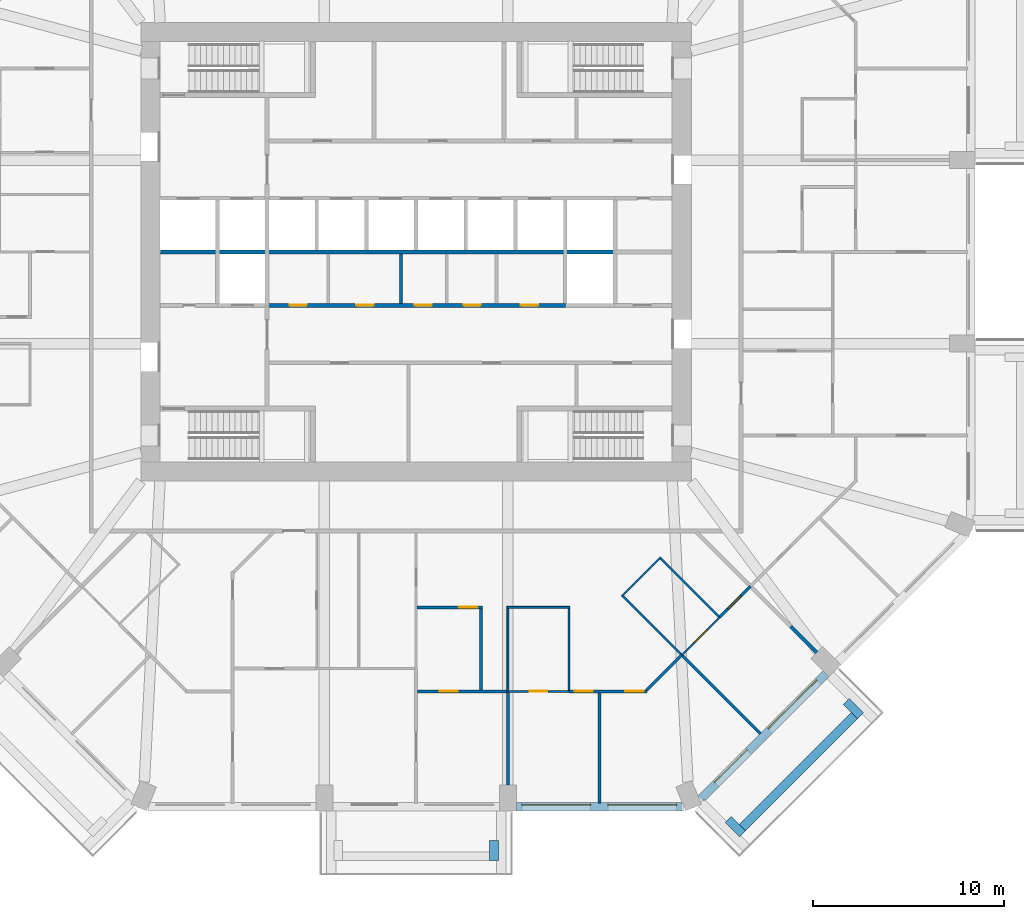
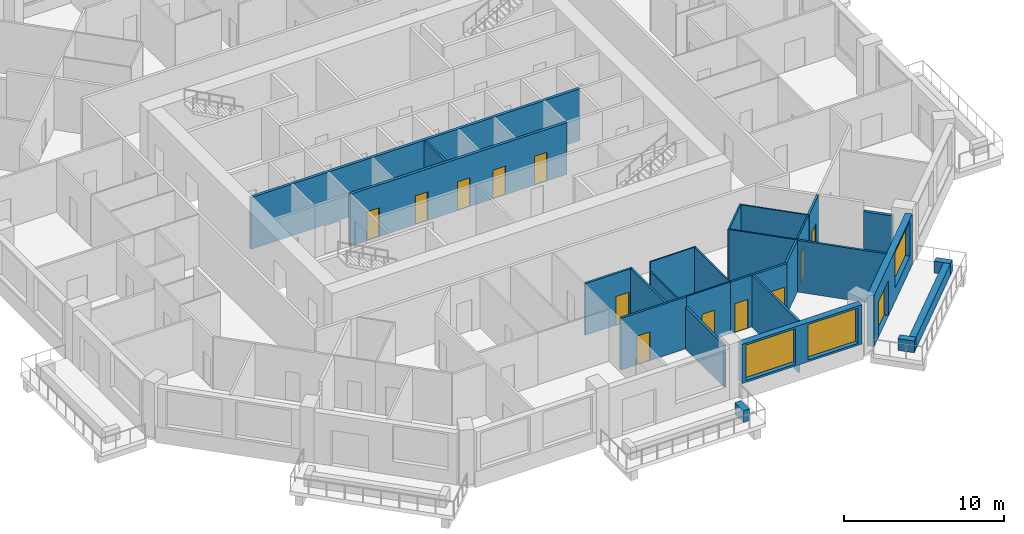
# One storey, part 5 of 13: 27 walls, 13 doors, 3 windows, 16 openings.
"""IFC4 building model written with IfcOpenShell, lengths in metres."""

from ifc_helpers import new_model, si_unit, direction, frame, frame_2d, origin, place, context, subcontext, project, spatial, rectangle, extrude, material, layer, layer_set, type_object, element, fill, save


model = new_model("IFC4")

# Units and contexts
model_context = context("Model", 3, precision=1e-05, world=origin(), true_north=direction((0.0, 1.0)))
body_context = subcontext(model_context, "Body", "Model", "MODEL_VIEW")
ifc_project = project(units=[si_unit("LENGTHUNIT", "METRE"), si_unit("AREAUNIT", "SQUARE_METRE"), si_unit("VOLUMEUNIT", "CUBIC_METRE"), si_unit("PLANEANGLEUNIT", "RADIAN"), si_unit("MASSUNIT", "GRAM", prefix="KILO")], contexts=[model_context])

# Site, building, storey
site_placement = place(None, origin())
site = spatial("IfcSite", under=ifc_project, at=site_placement, CompositionType="ELEMENT")
building_placement = place(site_placement, origin())
building = spatial("IfcBuilding", under=site, at=building_placement, Name="Msitu Wima Residences", CompositionType="ELEMENT")
storey_placement = place(building_placement, frame((0.0, 0.0, 33.89990234375)))
storey = spatial("IfcBuildingStorey", under=building, at=storey_placement, Name="L07", CompositionType="ELEMENT", Elevation=33.89990234375)

# Walls
ifc_material_1 = material(Name="Facing brick")
ifc_layer_1 = layer(ifc_material_1, 0.06494140625, Name="Facing brick")
ifc_material_2 = material(Name="Concrete C40/50", Category="concrete")
ifc_layer_2 = layer(ifc_material_2, 0.156005859375, Name="Concrete C40/50")
ifc_material_3 = material(Name="Waterproofing membrane")
ifc_layer_3 = layer(ifc_material_3, 0.00390625, Name="Waterproofing membrane")
ifc_material_4 = material(Name="Planting soil and planting")
ifc_layer_4 = layer(ifc_material_4, 0.22509765625, Name="Planting soil and planting")
ifc_layer_set_1 = layer_set([ifc_layer_1, ifc_layer_2, ifc_layer_3, ifc_layer_4], Name="Concrete C40/50")
wall_type_1 = type_object("IfcWallType", Name="Balcony planter PLANTER PL450", PredefinedType="USERDEFINED", material=ifc_layer_set_1)
wall_1_placement = place(storey_placement, frame((4.074951171875, -30.800048828125, 0.0), z_axis=(0.0, 0.0, 1.0), x_axis=(0.0, -1.0, 0.0)))
element("IfcWall", 1, at=wall_1_placement, inside=storey, type_object=wall_type_1, Name="Balcony planter S1 L07", ObjectType="PLANTER", PredefinedType="USERDEFINED", context=body_context, shape_type="SweptSolid", body=[
    extrude(rectangle(XDim=1.050048828125, YDim=0.449951171875, at=frame_2d((0.52490234375, 0.0))), origin(), (0.0, 0.0, 1.0), 0.900146484375),
])
wall_2_placement = place(storey_placement, frame((17.0693359375, -30.125732421875, 0.0), z_axis=(0.0, 0.0, 1.0), x_axis=(0.707106781187, 0.707106781187, 0.0)))
element("IfcWall", 2, at=wall_2_placement, inside=storey, type_object=wall_type_1, Name="Balcony planter SE0 L07", ObjectType="PLANTER", PredefinedType="USERDEFINED", context=body_context, shape_type="SweptSolid", body=[
    extrude(rectangle(XDim=8.2822265625, YDim=0.449951171875, at=frame_2d((4.14111328125, 0.0))), origin(), (0.0, 0.0, 1.0), 0.900146484375),
])
for number, where, z_axis, x_axis, name in (
    (3, (16.326904296875, -29.70166015625, 0.0), (0.0, 0.0, 1.0), (0.707106781187, -0.707106781187, 0.0), "Balcony planter SE0 L07"),
    (4, (22.50146484375, -23.52685546875, 0.0), (0.0, 0.0, 1.0), (0.707223014731, -0.706990528533, 0.0), "Balcony planter SE0 L07"),
):
    element("IfcWall", number, at=place(storey_placement, frame(where, z_axis=z_axis, x_axis=x_axis)), inside=storey, type_object=wall_type_1, Name=name, ObjectType="PLANTER", PredefinedType="USERDEFINED", context=body_context, shape_type="SweptSolid", body=[
        extrude(rectangle(XDim=1.050048828125, YDim=0.449951171875, at=frame_2d((0.52490234375, 0.0))), origin(), (0.0, 0.0, 1.0), 0.900146484375),
    ])

# Wall, openings, windows
ifc_material_5 = material(Name="Brick (red buff mix)", Category="masonry")
ifc_layer_5 = layer(ifc_material_5, 0.449951171875)
ifc_layer_set_2 = layer_set([ifc_layer_5], Name="Brick (red buff mix)")
wall_type_2 = type_object("IfcWallType", Name="Brick infill wall BW450", PredefinedType="SOLIDWALL", material=ifc_layer_set_2)
wall_3_placement = place(storey_placement, frame((5.25, -29.02490234375, 0.900146484375), z_axis=(0.0, 0.0, 1.0), x_axis=(1.0, 0.0, 0.0)))
wall_3 = element("IfcWall", 5, at=wall_3_placement, inside=storey, type_object=wall_type_2, Name="Brick infill wall L07 S2", PredefinedType="SOLIDWALL", context=body_context, shape_type="SweptSolid", body=[
    extrude(rectangle(XDim=8.662841796875, YDim=0.449951171875, at=frame_2d((4.33154296875, 0.0))), origin(), (0.0, 0.0, 1.0), 3.0),
])
opening_1_placement = place(wall_3_placement, frame((0.281494140625, 0.0, 0.14990234375)))
opening_1 = element("IfcOpeningElement", 6, at=opening_1_placement, cuts=wall_3, Name="Opening W05-07.019", PredefinedType="OPENING", context=body_context, shape_type="SweptSolid", body=[
    extrude(rectangle(XDim=3.60009765625, YDim=2.699951171875, at=frame_2d((1.800048828125, 1.35009765625))), frame((0.0, 0.23486328125, 0.0), z_axis=(0.0, -1.0, 0.0), x_axis=(1.0, 0.0, 0.0)), (0.0, 0.0, 1.0), 0.469970703125),
])
opening_2_placement = place(wall_3_placement, frame((4.781494140625, 0.0, 0.14990234375)))
opening_2 = element("IfcOpeningElement", 7, at=opening_2_placement, cuts=wall_3, Name="Opening W05-07.020", PredefinedType="OPENING", context=body_context, shape_type="SweptSolid", body=[
    extrude(rectangle(XDim=3.60009765625, YDim=2.699951171875, at=frame_2d((1.800048828125, 1.35009765625))), frame((0.0, 0.23486328125, 0.0), z_axis=(0.0, -1.0, 0.0), x_axis=(1.0, 0.0, 0.0)), (0.0, 0.0, 1.0), 0.469970703125),
])
ifc_material_6 = material(Name="Anodised aluminium, bronze finish, clear low-emissivity double glazing", Category="aluminium")
window_type = type_object("IfcWindowType", Name="Window W3600x2700", PartitioningType="DOUBLE_PANEL_VERTICAL", PredefinedType="WINDOW", material=ifc_material_6)
window_1_placement = place(opening_1_placement, origin())
window_1 = element("IfcWindow", 8, at=window_1_placement, inside=storey, type_object=window_type, Name="Window L07 S2.1", OverallHeight=2.699951171875, OverallWidth=3.60009765625, PartitioningType="SINGLE_PANEL", PredefinedType="WINDOW", context=body_context, shape_type="SweptSolid", body=[
    extrude(rectangle(XDim=3.60009765625, YDim=2.699951171875, at=frame_2d((1.800048828125, 1.35009765625))), frame((0.0, 0.135009765625, 0.0), z_axis=(0.0, -1.0, 0.0), x_axis=(1.0, 0.0, 0.0)), (0.0, 0.0, 1.0), 0.06005859375),
])
fill(opening_1, window_1)
window_2_placement = place(opening_2_placement, origin())
window_2 = element("IfcWindow", 9, at=window_2_placement, inside=storey, type_object=window_type, Name="Window L07 S2.2", OverallHeight=2.699951171875, OverallWidth=3.60009765625, PartitioningType="SINGLE_PANEL", PredefinedType="WINDOW", context=body_context, shape_type="SweptSolid", body=[
    extrude(rectangle(XDim=3.60009765625, YDim=2.699951171875, at=frame_2d((1.800048828125, 1.35009765625))), frame((0.0, 0.135009765625, 0.0), z_axis=(0.0, -1.0, 0.0), x_axis=(1.0, 0.0, 0.0)), (0.0, 0.0, 1.0), 0.06005859375),
])
fill(opening_2, window_2)

# Wall, openings, door, window
wall_4_placement = place(storey_placement, frame((14.903564453125, -28.61474609375, 0.0), z_axis=(0.0, 0.0, 1.0), x_axis=(0.707106781187, 0.707106781187, 0.0)))
wall_4 = element("IfcWall", 10, at=wall_4_placement, inside=storey, type_object=wall_type_2, Name="Brick infill wall L07 SE0", PredefinedType="SOLIDWALL", context=body_context, shape_type="SweptSolid", body=[
    extrude(rectangle(XDim=9.2451171875, YDim=0.449951171875, at=frame_2d((4.62255859375, 0.0))), origin(), (0.0, 0.0, 1.0), 3.900146484375),
])
opening_3_placement = place(wall_4_placement, frame((1.111328125, 0.0, 0.0)))
opening_3 = element("IfcOpeningElement", 11, at=opening_3_placement, cuts=wall_4, Name="Opening D05-07.007", PredefinedType="OPENING", context=body_context, shape_type="SweptSolid", body=[
    extrude(rectangle(XDim=2.39990234375, YDim=2.699951171875, at=frame_2d((1.199951171875, 1.35009765625))), frame((0.0, 0.23486328125, 0.0), z_axis=(0.0, -1.0, 0.0), x_axis=(1.0, 0.0, 0.0)), (0.0, 0.0, 1.0), 0.469970703125),
])
opening_4_placement = place(wall_4_placement, frame((5.072509765625, 0.0, 1.050048828125)))
opening_4 = element("IfcOpeningElement", 12, at=opening_4_placement, cuts=wall_4, Name="Opening W05-07.021", PredefinedType="OPENING", context=body_context, shape_type="SweptSolid", body=[
    extrude(rectangle(XDim=3.60009765625, YDim=2.699951171875, at=frame_2d((1.800048828125, 1.35009765625))), frame((0.0, 0.23486328125, 0.0), z_axis=(0.0, -1.0, 0.0), x_axis=(1.0, 0.0, 0.0)), (0.0, 0.0, 1.0), 0.469970703125),
])
door_type_1 = type_object("IfcDoorType", Name="Balcony door D2400x2700", OperationType="SLIDING_TO_LEFT", PredefinedType="DOOR", material=ifc_material_6)
door_1_placement = place(opening_3_placement, origin())
door_1 = element("IfcDoor", 13, at=door_1_placement, inside=storey, type_object=door_type_1, Name="Balcony door L07 SE0", OperationType="SINGLE_SWING_LEFT", OverallHeight=2.699951171875, OverallWidth=2.39990234375, PredefinedType="DOOR", context=body_context, shape_type="SweptSolid", body=[
    extrude(rectangle(XDim=2.39990234375, YDim=2.699951171875, at=frame_2d((1.199951171875, 1.35009765625))), frame((0.0, 0.1298828125, 0.0), z_axis=(0.0, -1.0, 0.0), x_axis=(1.0, 0.0, 0.0)), (0.0, 0.0, 1.0), 0.050048828125),
])
fill(opening_3, door_1)
window_3_placement = place(opening_4_placement, origin())
window_3 = element("IfcWindow", 14, at=window_3_placement, inside=storey, type_object=window_type, Name="Window L07 SE0.2", OverallHeight=2.699951171875, OverallWidth=3.60009765625, PartitioningType="SINGLE_PANEL", PredefinedType="WINDOW", context=body_context, shape_type="SweptSolid", body=[
    extrude(rectangle(XDim=3.60009765625, YDim=2.699951171875, at=frame_2d((1.800048828125, 1.35009765625))), frame((0.0, 0.135009765625, 0.0), z_axis=(0.0, -1.0, 0.0), x_axis=(1.0, 0.0, 0.0)), (0.0, 0.0, 1.0), 0.06005859375),
])
fill(opening_4, window_3)

# Wall, openings, doors
ifc_material_7 = material(Name="Plaster")
ifc_layer_6 = layer(ifc_material_7, 0.011962890625, Name="Plaster")
ifc_material_8 = material(Name="Concrete blockwork", Category="masonry")
ifc_layer_7 = layer(ifc_material_8, 0.176025390625, Name="Concrete blockwork")
ifc_layer_8 = layer(ifc_material_7, 0.011962890625, Name="Plaster")
ifc_layer_set_3 = layer_set([ifc_layer_6, ifc_layer_7, ifc_layer_8], Name="Concrete blockwork")
wall_type_3 = type_object("IfcWallType", Name="Corridor wall FW200", PredefinedType="PARTITIONING", material=ifc_layer_set_3)
wall_5_placement = place(storey_placement, frame((-7.820068359375, -2.800048828125, 0.0), z_axis=(0.0, 0.0, 1.0), x_axis=(1.0, 0.0, 0.0)))
wall_5 = element("IfcWall", 15, at=wall_5_placement, inside=storey, type_object=wall_type_3, Name="Corridor wall", PredefinedType="PARTITIONING", context=body_context, shape_type="SweptSolid", body=[
    extrude(rectangle(XDim=15.64013671875, YDim=0.199951171875, at=frame_2d((7.820068359375, 0.0))), origin(), (0.0, 0.0, 1.0), 3.9501953125),
])
opening_5_placement = place(wall_5_placement, frame((1.199951171875, 0.0, 0.0)))
opening_5 = element("IfcOpeningElement", 16, at=opening_5_placement, cuts=wall_5, Name="Opening D05-07.031", PredefinedType="OPENING", context=body_context, shape_type="SweptSolid", body=[
    extrude(rectangle(XDim=0.89990234375, YDim=2.199951171875, at=frame_2d((0.449951171875, 1.10009765625))), frame((0.0, 0.10986328125, 0.0), z_axis=(0.0, -1.0, 0.0), x_axis=(1.0, 0.0, 0.0)), (0.0, 0.0, 1.0), 0.219970703125),
])
opening_6_placement = place(wall_5_placement, frame((4.699951171875, 0.0, 0.0)))
opening_6 = element("IfcOpeningElement", 17, at=opening_6_placement, cuts=wall_5, Name="Opening D05-07.032", PredefinedType="OPENING", context=body_context, shape_type="SweptSolid", body=[
    extrude(rectangle(XDim=0.89990234375, YDim=2.199951171875, at=frame_2d((0.449951171875, 1.10009765625))), frame((0.0, 0.10986328125, 0.0), z_axis=(0.0, -1.0, 0.0), x_axis=(1.0, 0.0, 0.0)), (0.0, 0.0, 1.0), 0.219970703125),
])
opening_7_placement = place(wall_5_placement, frame((7.75, 0.0, 0.0)))
opening_7 = element("IfcOpeningElement", 18, at=opening_7_placement, cuts=wall_5, Name="Opening D05-07.033", PredefinedType="OPENING", context=body_context, shape_type="SweptSolid", body=[
    extrude(rectangle(XDim=0.89990234375, YDim=2.199951171875, at=frame_2d((0.449951171875, 1.10009765625))), frame((0.0, 0.10986328125, 0.0), z_axis=(0.0, -1.0, 0.0), x_axis=(1.0, 0.0, 0.0)), (0.0, 0.0, 1.0), 0.219970703125),
])
opening_8_placement = place(wall_5_placement, frame((10.300048828125, 0.0, 0.0)))
opening_8 = element("IfcOpeningElement", 19, at=opening_8_placement, cuts=wall_5, Name="Opening D05-07.034", PredefinedType="OPENING", context=body_context, shape_type="SweptSolid", body=[
    extrude(rectangle(XDim=0.89990234375, YDim=2.199951171875, at=frame_2d((0.449951171875, 1.10009765625))), frame((0.0, 0.10986328125, 0.0), z_axis=(0.0, -1.0, 0.0), x_axis=(1.0, 0.0, 0.0)), (0.0, 0.0, 1.0), 0.219970703125),
])
opening_9_placement = place(wall_5_placement, frame((13.300048828125, 0.0, 0.0)))
opening_9 = element("IfcOpeningElement", 20, at=opening_9_placement, cuts=wall_5, Name="Opening D05-07.035", PredefinedType="OPENING", context=body_context, shape_type="SweptSolid", body=[
    extrude(rectangle(XDim=0.89990234375, YDim=2.199951171875, at=frame_2d((0.449951171875, 1.10009765625))), frame((0.0, 0.10986328125, 0.0), z_axis=(0.0, -1.0, 0.0), x_axis=(1.0, 0.0, 0.0)), (0.0, 0.0, 1.0), 0.219970703125),
])
ifc_material_9 = material(Name="Timber flush door", Category="wood")
door_type_2 = type_object("IfcDoorType", Name="Service door D05 900x2200", OperationType="SINGLE_SWING_LEFT", PredefinedType="DOOR", material=ifc_material_9)
door_2_placement = place(opening_5_placement, origin())
door_2 = element("IfcDoor", 21, at=door_2_placement, inside=storey, type_object=door_type_2, Name="Service door", OperationType="SINGLE_SWING_RIGHT", OverallHeight=2.199951171875, OverallWidth=0.89990234375, PredefinedType="DOOR", context=body_context, shape_type="SweptSolid", body=[
    extrude(rectangle(XDim=0.89990234375, YDim=2.199951171875, at=frame_2d((0.449951171875, 1.10009765625))), frame((0.0, 0.02490234375, 0.0), z_axis=(0.0, -1.0, 0.0), x_axis=(1.0, 0.0, 0.0)), (0.0, 0.0, 1.0), 0.050048828125),
])
fill(opening_5, door_2)
door_3_placement = place(opening_6_placement, origin())
door_3 = element("IfcDoor", 22, at=door_3_placement, inside=storey, type_object=door_type_2, Name="Service door", OperationType="SINGLE_SWING_RIGHT", OverallHeight=2.199951171875, OverallWidth=0.89990234375, PredefinedType="DOOR", context=body_context, shape_type="SweptSolid", body=[
    extrude(rectangle(XDim=0.89990234375, YDim=2.199951171875, at=frame_2d((0.449951171875, 1.10009765625))), frame((0.0, 0.02490234375, 0.0), z_axis=(0.0, -1.0, 0.0), x_axis=(1.0, 0.0, 0.0)), (0.0, 0.0, 1.0), 0.050048828125),
])
fill(opening_6, door_3)
door_4_placement = place(opening_7_placement, origin())
door_4 = element("IfcDoor", 23, at=door_4_placement, inside=storey, type_object=door_type_2, Name="Service door", OperationType="SINGLE_SWING_LEFT", OverallHeight=2.199951171875, OverallWidth=0.89990234375, PredefinedType="DOOR", context=body_context, shape_type="SweptSolid", body=[
    extrude(rectangle(XDim=0.89990234375, YDim=2.199951171875, at=frame_2d((0.449951171875, 1.10009765625))), frame((0.0, 0.02490234375, 0.0), z_axis=(0.0, -1.0, 0.0), x_axis=(1.0, 0.0, 0.0)), (0.0, 0.0, 1.0), 0.050048828125),
])
fill(opening_7, door_4)
door_5_placement = place(opening_8_placement, origin())
door_5 = element("IfcDoor", 24, at=door_5_placement, inside=storey, type_object=door_type_2, Name="Service door", OperationType="SINGLE_SWING_RIGHT", OverallHeight=2.199951171875, OverallWidth=0.89990234375, PredefinedType="DOOR", context=body_context, shape_type="SweptSolid", body=[
    extrude(rectangle(XDim=0.89990234375, YDim=2.199951171875, at=frame_2d((0.449951171875, 1.10009765625))), frame((0.0, 0.02490234375, 0.0), z_axis=(0.0, -1.0, 0.0), x_axis=(1.0, 0.0, 0.0)), (0.0, 0.0, 1.0), 0.050048828125),
])
fill(opening_8, door_5)
door_6_placement = place(opening_9_placement, origin())
door_6 = element("IfcDoor", 25, at=door_6_placement, inside=storey, type_object=door_type_2, Name="Service door", OperationType="SINGLE_SWING_LEFT", OverallHeight=2.199951171875, OverallWidth=0.89990234375, PredefinedType="DOOR", context=body_context, shape_type="SweptSolid", body=[
    extrude(rectangle(XDim=0.89990234375, YDim=2.199951171875, at=frame_2d((0.449951171875, 1.10009765625))), frame((0.0, 0.02490234375, 0.0), z_axis=(0.0, -1.0, 0.0), x_axis=(1.0, 0.0, 0.0)), (0.0, 0.0, 1.0), 0.050048828125),
])
fill(opening_9, door_6)

# Wall
ifc_layer_9 = layer(ifc_material_7, 0.011962890625, Name="Plaster")
ifc_layer_10 = layer(ifc_material_8, 0.1259765625, Name="Concrete blockwork")
ifc_layer_11 = layer(ifc_material_7, 0.011962890625, Name="Plaster")
ifc_layer_set_4 = layer_set([ifc_layer_9, ifc_layer_10, ifc_layer_11], Name="Concrete blockwork")
wall_type_4 = type_object("IfcWallType", Name="Partition PW150", PredefinedType="PARTITIONING", material=ifc_layer_set_4)
wall_6_placement = place(storey_placement, frame((-0.800048828125, -2.699951171875, 0.0), z_axis=(0.0, 0.0, 1.0), x_axis=(0.0, 1.0, 0.0)))
element("IfcWall", 26, at=wall_6_placement, inside=storey, type_object=wall_type_4, Name="Partition", PredefinedType="PARTITIONING", context=body_context, shape_type="SweptSolid", body=[
    extrude(rectangle(XDim=2.599853515625, YDim=0.14990234375, at=frame_2d((1.2998046875, 0.0))), origin(), (0.0, 0.0, 1.0), 3.9501953125),
])

# Wall, opening, door
wall_7_placement = place(storey_placement, frame((0.074951171875, -23.0, 0.0), z_axis=(0.0, 0.0, 1.0), x_axis=(1.0, 0.0, 0.0)))
wall_7 = element("IfcWall", 27, at=wall_7_placement, inside=storey, type_object=wall_type_4, Name="Partition", PredefinedType="PARTITIONING", context=body_context, shape_type="SweptSolid", body=[
    extrude(rectangle(XDim=4.72509765625, YDim=0.14990234375, at=frame_2d((2.362548828125, 0.0))), origin(), (0.0, 0.0, 1.0), 3.9501953125),
])
opening_10_placement = place(wall_7_placement, frame((1.14990234375, 0.0, 0.0)))
opening_10 = element("IfcOpeningElement", 28, at=opening_10_placement, cuts=wall_7, Name="Opening D05-07.084", PredefinedType="OPENING", context=body_context, shape_type="SweptSolid", body=[
    extrude(rectangle(XDim=0.949951171875, YDim=2.199951171875, at=frame_2d((0.47509765625, 1.10009765625))), frame((0.0, 0.0849609375, 0.0), z_axis=(0.0, -1.0, 0.0), x_axis=(1.0, 0.0, 0.0)), (0.0, 0.0, 1.0), 0.169921875),
])
door_type_3 = type_object("IfcDoorType", Name="Room door D12 950x2200", OperationType="SINGLE_SWING_LEFT", PredefinedType="DOOR", material=ifc_material_9)
door_7_placement = place(opening_10_placement, origin())
door_7 = element("IfcDoor", 29, at=door_7_placement, inside=storey, type_object=door_type_3, Name="Room door", OperationType="SINGLE_SWING_RIGHT", OverallHeight=2.199951171875, OverallWidth=0.949951171875, PredefinedType="DOOR", context=body_context, shape_type="SweptSolid", body=[
    extrude(rectangle(XDim=0.949951171875, YDim=2.199951171875, at=frame_2d((0.47509765625, 1.10009765625))), frame((0.0, 0.02490234375, 0.0), z_axis=(0.0, -1.0, 0.0), x_axis=(1.0, 0.0, 0.0)), (0.0, 0.0, 1.0), 0.050048828125),
])
fill(opening_10, door_7)

wall_8_placement = place(storey_placement, frame((0.050048828125, -18.60009765625, 0.0), z_axis=(0.0, 0.0, 1.0), x_axis=(1.0, 0.0, 0.0)))
wall_8 = element("IfcWall", 30, at=wall_8_placement, inside=storey, type_object=wall_type_4, Name="Partition", PredefinedType="PARTITIONING", context=body_context, shape_type="SweptSolid", body=[
    extrude(rectangle(XDim=3.425048828125, YDim=0.14990234375, at=frame_2d((1.71240234375, 0.0))), origin(), (0.0, 0.0, 1.0), 3.9501953125),
])
opening_11_placement = place(wall_8_placement, frame((2.199951171875, 0.0, 0.0)))
opening_11 = element("IfcOpeningElement", 31, at=opening_11_placement, cuts=wall_8, Name="Opening D05-07.087", PredefinedType="OPENING", context=body_context, shape_type="SweptSolid", body=[
    extrude(rectangle(XDim=0.949951171875, YDim=2.199951171875, at=frame_2d((0.47509765625, 1.10009765625))), frame((0.0, 0.0849609375, 0.0), z_axis=(0.0, -1.0, 0.0), x_axis=(1.0, 0.0, 0.0)), (0.0, 0.0, 1.0), 0.169921875),
])
door_8_placement = place(opening_11_placement, origin())
door_8 = element("IfcDoor", 32, at=door_8_placement, inside=storey, type_object=door_type_3, Name="Room door", OperationType="SINGLE_SWING_LEFT", OverallHeight=2.199951171875, OverallWidth=0.949951171875, PredefinedType="DOOR", context=body_context, shape_type="SweptSolid", body=[
    extrude(rectangle(XDim=0.949951171875, YDim=2.199951171875, at=frame_2d((0.47509765625, 1.10009765625))), frame((0.0, 0.02490234375, 0.0), z_axis=(0.0, -1.0, 0.0), x_axis=(1.0, 0.0, 0.0)), (0.0, 0.0, 1.0), 0.050048828125),
])
fill(opening_11, door_8)

# Walls
wall_9_placement = place(storey_placement, frame((3.39990234375, -22.925048828125, 0.0), z_axis=(0.0, 0.0, 1.0), x_axis=(0.0, 1.0, 0.0)))
element("IfcWall", 33, at=wall_9_placement, inside=storey, type_object=wall_type_4, Name="Partition", PredefinedType="PARTITIONING", context=body_context, shape_type="SweptSolid", body=[
    extrude(rectangle(XDim=4.25, YDim=0.14990234375, at=frame_2d((2.125, 0.0))), origin(), (0.0, 0.0, 1.0), 3.9501953125),
])
wall_10_placement = place(storey_placement, frame((4.800048828125, -27.89990234375, 0.0), z_axis=(0.0, 0.0, 1.0), x_axis=(0.0, 1.0, 0.0)))
element("IfcWall", 34, at=wall_10_placement, inside=storey, type_object=wall_type_4, Name="Partition", PredefinedType="PARTITIONING", context=body_context, shape_type="SweptSolid", body=[
    extrude(rectangle(XDim=4.919921875, YDim=0.14990234375, at=frame_2d((2.4599609375, 0.0))), origin(), (0.0, 0.0, 1.0), 3.2001953125),
])

# Wall, openings, doors
wall_11_placement = place(storey_placement, frame((8.0, -23.0, 0.0), z_axis=(0.0, 0.0, 1.0), x_axis=(1.0, 0.0, 0.0)))
wall_11 = element("IfcWall", 35, at=wall_11_placement, inside=storey, type_object=wall_type_4, Name="Partition", PredefinedType="PARTITIONING", context=body_context, shape_type="SweptSolid", body=[
    extrude(rectangle(XDim=4.072509765625, YDim=0.14990234375, at=frame_2d((2.0361328125, 0.0))), origin(), (0.0, 0.0, 1.0), 3.9501953125),
])
opening_12_placement = place(wall_11_placement, frame((0.300048828125, 0.0, 0.0)))
opening_12 = element("IfcOpeningElement", 36, at=opening_12_placement, cuts=wall_11, Name="Opening D05-07.090", PredefinedType="OPENING", context=body_context, shape_type="SweptSolid", body=[
    extrude(rectangle(XDim=0.949951171875, YDim=2.199951171875, at=frame_2d((0.47509765625, 1.10009765625))), frame((0.0, 0.0849609375, 0.0), z_axis=(0.0, -1.0, 0.0), x_axis=(1.0, 0.0, 0.0)), (0.0, 0.0, 1.0), 0.169921875),
])
opening_13_placement = place(wall_11_placement, frame((2.949951171875, 0.0, 0.0)))
opening_13 = element("IfcOpeningElement", 37, at=opening_13_placement, cuts=wall_11, Name="Opening D05-07.093", PredefinedType="OPENING", context=body_context, shape_type="SweptSolid", body=[
    extrude(rectangle(XDim=0.949951171875, YDim=2.199951171875, at=frame_2d((0.47509765625, 1.10009765625))), frame((0.0, 0.0849609375, 0.0), z_axis=(0.0, -1.0, 0.0), x_axis=(1.0, 0.0, 0.0)), (0.0, 0.0, 1.0), 0.169921875),
])
door_9_placement = place(opening_12_placement, origin())
door_9 = element("IfcDoor", 38, at=door_9_placement, inside=storey, type_object=door_type_3, Name="Room door", OperationType="SINGLE_SWING_LEFT", OverallHeight=2.199951171875, OverallWidth=0.949951171875, PredefinedType="DOOR", context=body_context, shape_type="SweptSolid", body=[
    extrude(rectangle(XDim=0.949951171875, YDim=2.199951171875, at=frame_2d((0.47509765625, 1.10009765625))), frame((0.0, 0.02490234375, 0.0), z_axis=(0.0, -1.0, 0.0), x_axis=(1.0, 0.0, 0.0)), (0.0, 0.0, 1.0), 0.050048828125),
])
fill(opening_12, door_9)
door_10_placement = place(opening_13_placement, origin())
door_10 = element("IfcDoor", 39, at=door_10_placement, inside=storey, type_object=door_type_3, Name="Room door", OperationType="SINGLE_SWING_RIGHT", OverallHeight=2.199951171875, OverallWidth=0.949951171875, PredefinedType="DOOR", context=body_context, shape_type="SweptSolid", body=[
    extrude(rectangle(XDim=0.949951171875, YDim=2.199951171875, at=frame_2d((0.47509765625, 1.10009765625))), frame((0.0, 0.02490234375, 0.0), z_axis=(0.0, -1.0, 0.0), x_axis=(1.0, 0.0, 0.0)), (0.0, 0.0, 1.0), 0.050048828125),
])
fill(opening_13, door_10)

# Walls
wall_12_placement = place(storey_placement, frame((9.60009765625, -28.85498046875, 0.0), z_axis=(0.0, 0.0, 1.0), x_axis=(0.0, 1.0, 0.0)))
element("IfcWall", 40, at=wall_12_placement, inside=storey, type_object=wall_type_4, Name="Partition", PredefinedType="PARTITIONING", context=body_context, shape_type="SweptSolid", body=[
    extrude(rectangle(XDim=5.780029296875, YDim=0.14990234375, at=frame_2d((2.89013671875, 0.0))), origin(), (0.0, 0.0, 1.0), 3.9501953125),
])
wall_13_placement = place(storey_placement, frame((12.050537109375, -22.947021484375, 0.0), z_axis=(0.0, 0.0, 1.0), x_axis=(0.707106781187, 0.707106781187, 0.0)))
element("IfcWall", 41, at=wall_13_placement, inside=storey, type_object=wall_type_4, Name="Partition", PredefinedType="PARTITIONING", context=body_context, shape_type="SweptSolid", body=[
    extrude(rectangle(XDim=2.61376953125, YDim=0.14990234375, at=frame_2d((1.306884765625, 0.0))), origin(), (0.0, 0.0, 1.0), 3.9501953125),
])
wall_14_placement = place(storey_placement, frame((13.884521484375, -21.084716796875, 0.0), z_axis=(0.0, 0.0, 1.0), x_axis=(0.707106781187, -0.707106781187, 0.0)))
element("IfcWall", 42, at=wall_14_placement, inside=storey, type_object=wall_type_4, Name="Partition", PredefinedType="PARTITIONING", context=body_context, shape_type="SweptSolid", body=[
    extrude(rectangle(XDim=5.844970703125, YDim=0.14990234375, at=frame_2d((2.92236328125, 0.0))), origin(), (0.0, 0.0, 1.0), 3.9501953125),
])

# Wall, opening, door
wall_15_placement = place(storey_placement, frame((15.892822265625, -19.104736328125, 0.0), z_axis=(0.0, 0.0, 1.0), x_axis=(0.707106781187, 0.707106781187, 0.0)))
wall_15 = element("IfcWall", 43, at=wall_15_placement, inside=storey, type_object=wall_type_4, Name="Partition", PredefinedType="PARTITIONING", context=body_context, shape_type="SweptSolid", body=[
    extrude(rectangle(XDim=2.271240234375, YDim=0.14990234375, at=frame_2d((1.1357421875, 0.0))), origin(), (0.0, 0.0, 1.0), 3.9501953125),
])
opening_14_placement = place(wall_15_placement, frame((0.60009765625, 0.0, 0.0)))
opening_14 = element("IfcOpeningElement", 44, at=opening_14_placement, cuts=wall_15, Name="Opening D05-07.088", PredefinedType="OPENING", context=body_context, shape_type="SweptSolid", body=[
    extrude(rectangle(XDim=0.949951171875, YDim=2.199951171875, at=frame_2d((0.47509765625, 1.10009765625))), frame((0.0, 0.0849609375, 0.0), z_axis=(0.0, -1.0, 0.0), x_axis=(1.0, 0.0, 0.0)), (0.0, 0.0, 1.0), 0.169921875),
])
door_11_placement = place(opening_14_placement, origin())
door_11 = element("IfcDoor", 45, at=door_11_placement, inside=storey, type_object=door_type_3, Name="Room door", OperationType="SINGLE_SWING_LEFT", OverallHeight=2.199951171875, OverallWidth=0.949951171875, PredefinedType="DOOR", context=body_context, shape_type="SweptSolid", body=[
    extrude(rectangle(XDim=0.949951171875, YDim=2.199951171875, at=frame_2d((0.47509765625, 1.10009765625))), frame((0.0, 0.02490234375, 0.0), z_axis=(0.0, -1.0, 0.0), x_axis=(1.0, 0.0, 0.0)), (0.0, 0.0, 1.0), 0.050048828125),
])
fill(opening_14, door_11)

# Walls
ifc_layer_12 = layer(ifc_material_7, 0.011962890625, Name="Plaster")
ifc_material_10 = material(Name="Dense concrete blockwork", Category="masonry")
ifc_layer_13 = layer(ifc_material_10, 0.176025390625, Name="Dense concrete blockwork")
ifc_layer_14 = layer(ifc_material_7, 0.011962890625, Name="Plaster")
ifc_layer_set_5 = layer_set([ifc_layer_12, ifc_layer_13, ifc_layer_14], Name="Dense concrete blockwork")
wall_type_5 = type_object("IfcWallType", Name="Party wall PW200", PredefinedType="PARTITIONING", material=ifc_layer_set_5)
wall_16_placement = place(storey_placement, frame((19.605712890625, -19.605712890625, 0.0), z_axis=(0.0, 0.0, 1.0), x_axis=(0.707106781187, -0.707106781187, 0.0)))
element("IfcWall", 46, at=wall_16_placement, inside=storey, type_object=wall_type_5, Name="Party wall", PredefinedType="PARTITIONING", context=body_context, shape_type="SweptSolid", body=[
    extrude(rectangle(XDim=1.92041015625, YDim=0.199951171875, at=frame_2d((0.960205078125, 0.0))), origin(), (0.0, 0.0, 1.0), 3.25),
])
ifc_material_11 = material(Name="Fire-rated board")
ifc_layer_15 = layer(ifc_material_11, 0.02490234375, Name="Fire-rated board")
ifc_material_12 = material(Name="Light-gauge stud framing with mineral wool")
ifc_layer_16 = layer(ifc_material_12, 0.14990234375, Name="Light-gauge stud framing with mineral wool")
ifc_layer_17 = layer(ifc_material_11, 0.02490234375, Name="Fire-rated board")
ifc_layer_set_6 = layer_set([ifc_layer_15, ifc_layer_16, ifc_layer_17], Name="Light-gauge stud framing with mineral wool")
wall_type_6 = type_object("IfcWallType", Name="Shaft wall SH200", PredefinedType="PARTITIONING", material=ifc_layer_set_6)
wall_17_placement = place(storey_placement, frame((-13.3701171875, 0.0, 0.0), z_axis=(0.0, 0.0, 1.0), x_axis=(1.0, 0.0, 0.0)))
element("IfcWall", 47, at=wall_17_placement, inside=storey, type_object=wall_type_6, Name="Shaft wall", PredefinedType="PARTITIONING", context=body_context, shape_type="SweptSolid", body=[
    extrude(rectangle(XDim=23.77001953125, YDim=0.199951171875, at=frame_2d((11.885009765625, 0.0))), origin(), (0.0, 0.0, 1.0), 3.9501953125),
])

# Wall, opening, door
ifc_material_13 = material(Name="Ceramic tiles")
ifc_layer_18 = layer(ifc_material_13, 0.008056640625, Name="Ceramic tiles")
ifc_material_14 = material(Name="Moisture-resistant board")
ifc_layer_19 = layer(ifc_material_14, 0.012451171875, Name="Moisture-resistant board")
ifc_layer_20 = layer(ifc_material_12, 0.06689453125, Name="Light-gauge stud framing with mineral wool")
ifc_layer_21 = layer(ifc_material_14, 0.012451171875, Name="Moisture-resistant board")
ifc_layer_set_7 = layer_set([ifc_layer_18, ifc_layer_19, ifc_layer_20, ifc_layer_21], Name="Light-gauge stud framing with mineral wool")
wall_type_7 = type_object("IfcWallType", Name="Wet wall PW100", PredefinedType="PARTITIONING", material=ifc_layer_set_7)
wall_18_placement = place(storey_placement, frame((4.800048828125, -23.0, 0.0), z_axis=(0.0, 0.0, 1.0), x_axis=(1.0, 0.0, 0.0)))
wall_18 = element("IfcWall", 48, at=wall_18_placement, inside=storey, type_object=wall_type_7, Name="Wet wall", PredefinedType="PARTITIONING", context=body_context, shape_type="SweptSolid", body=[
    extrude(rectangle(XDim=3.199951171875, YDim=0.10009765625, at=frame_2d((1.60009765625, 0.0))), origin(), (0.0, 0.0, 1.0), 3.9501953125),
])
opening_15_placement = place(wall_18_placement, frame((1.14990234375, 0.0, 0.0)))
opening_15 = element("IfcOpeningElement", 49, at=opening_15_placement, cuts=wall_18, Name="Opening D05-07.091", PredefinedType="OPENING", context=body_context, shape_type="SweptSolid", body=[
    extrude(rectangle(XDim=0.89990234375, YDim=2.199951171875, at=frame_2d((0.449951171875, 1.10009765625))), frame((0.0, 0.06005859375, 0.0), z_axis=(0.0, -1.0, 0.0), x_axis=(1.0, 0.0, 0.0)), (0.0, 0.0, 1.0), 0.1201171875),
])
ifc_material_15 = material(Name="Timber flush door, moisture resistant", Category="wood")
door_type_4 = type_object("IfcDoorType", Name="Bathroom door D03 900x2200", OperationType="SINGLE_SWING_LEFT", PredefinedType="DOOR", material=ifc_material_15)
door_12_placement = place(opening_15_placement, origin())
door_12 = element("IfcDoor", 50, at=door_12_placement, inside=storey, type_object=door_type_4, Name="Bathroom door", OperationType="SINGLE_SWING_LEFT", OverallHeight=2.199951171875, OverallWidth=0.89990234375, PredefinedType="DOOR", context=body_context, shape_type="SweptSolid", body=[
    extrude(rectangle(XDim=0.89990234375, YDim=2.199951171875, at=frame_2d((0.449951171875, 1.10009765625))), frame((0.0, 0.02490234375, 0.0), z_axis=(0.0, -1.0, 0.0), x_axis=(1.0, 0.0, 0.0)), (0.0, 0.0, 1.0), 0.050048828125),
])
fill(opening_15, door_12)

# Walls
wall_19_placement = place(storey_placement, frame((4.800048828125, -22.97998046875, 0.0), z_axis=(0.0, 0.0, 1.0), x_axis=(0.0, 1.0, 0.0)))
element("IfcWall", 51, at=wall_19_placement, inside=storey, type_object=wall_type_7, Name="Wet wall", PredefinedType="PARTITIONING", context=body_context, shape_type="SweptSolid", body=[
    extrude(rectangle(XDim=4.330078125, YDim=0.10009765625, at=frame_2d((2.1650390625, 0.0))), origin(), (0.0, 0.0, 1.0), 3.2001953125),
])
wall_20_placement = place(storey_placement, frame((4.75, -18.60009765625, 0.0), z_axis=(0.0, 0.0, 1.0), x_axis=(1.0, 0.0, 0.0)))
element("IfcWall", 52, at=wall_20_placement, inside=storey, type_object=wall_type_7, Name="Wet wall", PredefinedType="PARTITIONING", context=body_context, shape_type="SweptSolid", body=[
    extrude(rectangle(XDim=3.300048828125, YDim=0.10009765625, at=frame_2d((1.64990234375, 0.0))), origin(), (0.0, 0.0, 1.0), 3.9501953125),
])
wall_21_placement = place(storey_placement, frame((8.0, -22.925048828125, 0.0), z_axis=(0.0, 0.0, 1.0), x_axis=(0.0, 1.0, 0.0)))
element("IfcWall", 53, at=wall_21_placement, inside=storey, type_object=wall_type_7, Name="Wet wall", PredefinedType="PARTITIONING", context=body_context, shape_type="SweptSolid", body=[
    extrude(rectangle(XDim=4.275146484375, YDim=0.10009765625, at=frame_2d((2.1376953125, 0.0))), origin(), (0.0, 0.0, 1.0), 3.9501953125),
])
wall_22_placement = place(storey_placement, frame((10.752197265625, -18.02294921875, 0.0), z_axis=(0.0, 0.0, 1.0), x_axis=(0.707064687739, 0.707148872128, 0.0)))
element("IfcWall", 54, at=wall_22_placement, inside=storey, type_object=wall_type_7, Name="Wet wall", PredefinedType="PARTITIONING", context=body_context, shape_type="SweptSolid", body=[
    extrude(rectangle(XDim=2.900146484375, YDim=0.10009765625, at=frame_2d((1.4501953125, 0.0))), origin(), (0.0, 0.0, 1.0), 3.9501953125),
])
wall_23_placement = place(storey_placement, frame((10.82275390625, -18.02294921875, 0.0), z_axis=(0.0, 0.0, 1.0), x_axis=(0.707106781187, -0.707106781187, 0.0)))
element("IfcWall", 55, at=wall_23_placement, inside=storey, type_object=wall_type_7, Name="Wet wall", PredefinedType="PARTITIONING", context=body_context, shape_type="SweptSolid", body=[
    extrude(rectangle(XDim=4.330078125, YDim=0.10009765625, at=frame_2d((2.1650390625, 0.0))), origin(), (0.0, 0.0, 1.0), 3.9501953125),
])
wall_24_placement = place(storey_placement, frame((12.802734375, -16.04296875, 0.0), z_axis=(0.0, 0.0, 1.0), x_axis=(0.707106781187, -0.707106781187, 0.0)))
element("IfcWall", 56, at=wall_24_placement, inside=storey, type_object=wall_type_7, Name="Wet wall", PredefinedType="PARTITIONING", context=body_context, shape_type="SweptSolid", body=[
    extrude(rectangle(XDim=4.300048828125, YDim=0.10009765625, at=frame_2d((2.14990234375, 0.0))), origin(), (0.0, 0.0, 1.0), 3.9501953125),
])

# Wall, opening, door
wall_25_placement = place(storey_placement, frame((13.898681640625, -21.098876953125, 0.0), z_axis=(0.0, 0.0, 1.0), x_axis=(0.707106781187, 0.707106781187, 0.0)))
wall_25 = element("IfcWall", 57, at=wall_25_placement, inside=storey, type_object=wall_type_7, Name="Wet wall", PredefinedType="PARTITIONING", context=body_context, shape_type="SweptSolid", body=[
    extrude(rectangle(XDim=2.820068359375, YDim=0.10009765625, at=frame_2d((1.41015625, 0.0))), origin(), (0.0, 0.0, 1.0), 3.9501953125),
])
opening_16_placement = place(wall_25_placement, frame((0.949951171875, 0.0, 0.0)))
opening_16 = element("IfcOpeningElement", 58, at=opening_16_placement, cuts=wall_25, Name="Opening D05-07.089", PredefinedType="OPENING", context=body_context, shape_type="SweptSolid", body=[
    extrude(rectangle(XDim=0.89990234375, YDim=2.199951171875, at=frame_2d((0.449951171875, 1.10009765625))), frame((0.0, 0.06005859375, 0.0), z_axis=(0.0, -1.0, 0.0), x_axis=(1.0, 0.0, 0.0)), (0.0, 0.0, 1.0), 0.1201171875),
])
door_13_placement = place(opening_16_placement, origin())
door_13 = element("IfcDoor", 59, at=door_13_placement, inside=storey, type_object=door_type_4, Name="Bathroom door", OperationType="SINGLE_SWING_LEFT", OverallHeight=2.199951171875, OverallWidth=0.89990234375, PredefinedType="DOOR", context=body_context, shape_type="SweptSolid", body=[
    extrude(rectangle(XDim=0.89990234375, YDim=2.199951171875, at=frame_2d((0.449951171875, 1.10009765625))), frame((0.0, 0.02490234375, 0.0), z_axis=(0.0, -1.0, 0.0), x_axis=(1.0, 0.0, 0.0)), (0.0, 0.0, 1.0), 0.050048828125),
])
fill(opening_16, door_13)

save(model, "model.ifc")
